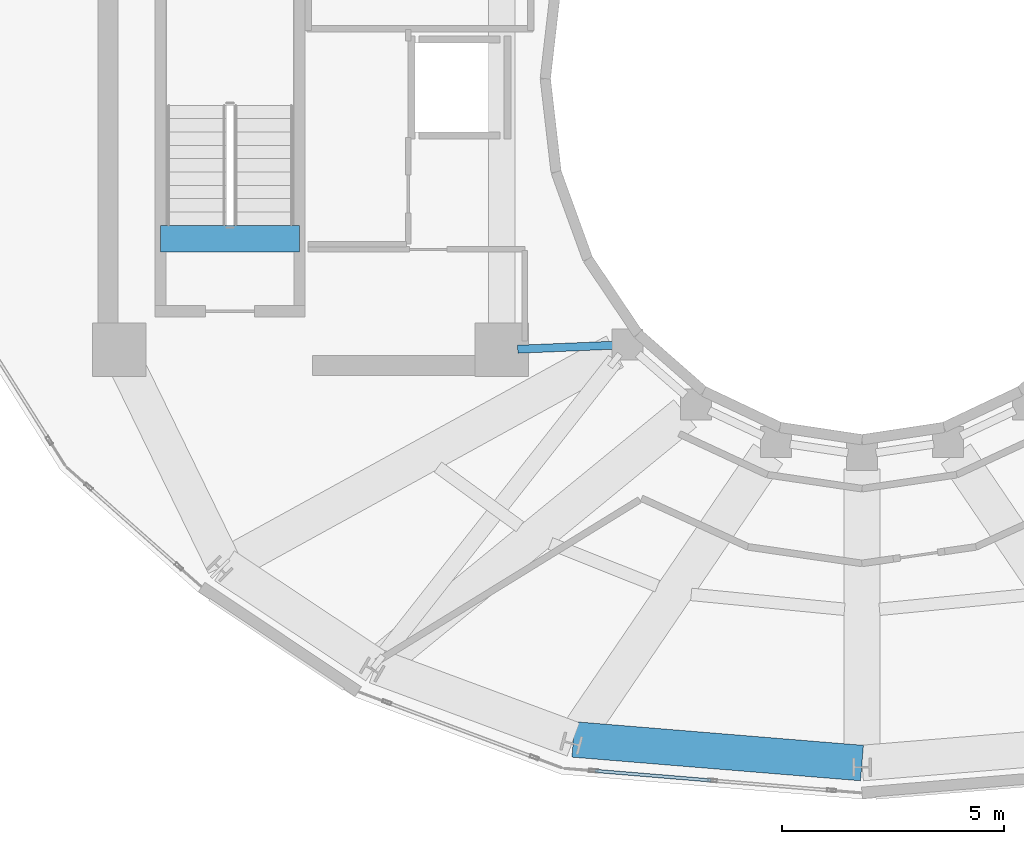
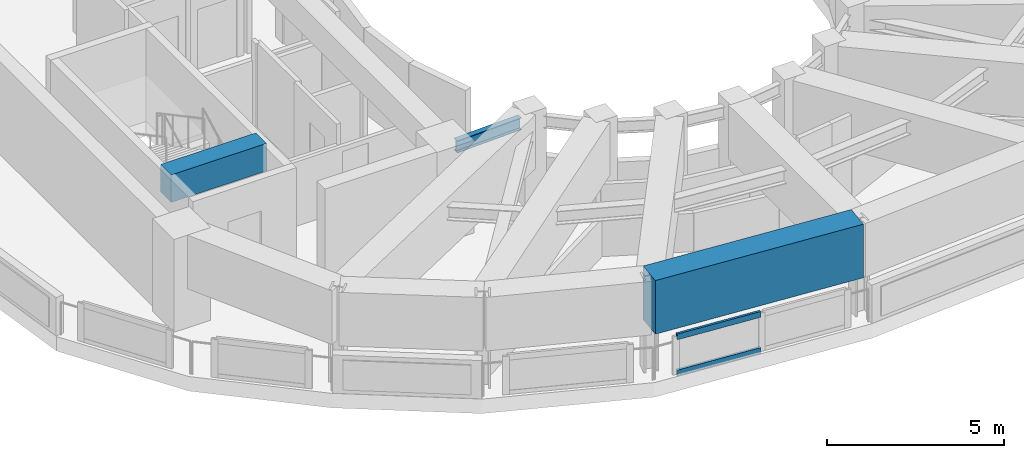
# One storey, part 4 of 21: 3 beams, 2 members, 1 element without a shape of its own.
"""IFC4 building model written with IfcOpenShell, lengths in metres."""

import ifcopenshell
import ifcopenshell.guid

model = None  # the IFC model being written
_history = None  # IfcOwnerHistory: only IFC2X3 demands one
_inside = {}  # id of a spatial element -> (the spatial element, [elements in it])
_under = {}  # id of a project, library or spatial element -> (it, [spatial elements below it])
_declared = {}  # id of a project -> (the project, [libraries it declares])
_typed = {}  # id of a type object -> (the type object, [elements of that type])
_made_of = {}  # id of a material, layer set ... -> (it, [elements and type objects made of it])


def new_model(schema):
    """Start an empty IFC model of exactly this schema.

    Asked for "IFC4X3", IfcOpenShell would pick the latest addendum, in which some entities
    have other attributes; the version numbers below select the first issue.
    IFC2X3 requires an IfcOwnerHistory on every rooted entity: one is made here for all.
    """
    global model, _history
    if schema == "IFC4X3":
        model = ifcopenshell.file(schema_version=(4, 3, 0, 0))
    else:
        model = ifcopenshell.file(schema=schema)
    _inside.clear()
    _under.clear()
    _declared.clear()
    _typed.clear()
    _made_of.clear()
    _history = None
    if model.schema == "IFC2X3":
        org = make("IfcOrganization", Name="unknown")
        user = make(
            "IfcPersonAndOrganization",
            ThePerson=make("IfcPerson", FamilyName="unknown"),
            TheOrganization=org,
        )
        app = make(
            "IfcApplication",
            ApplicationDeveloper=org,
            Version="unknown",
            ApplicationFullName="unknown",
            ApplicationIdentifier="unknown",
        )
        _history = make(
            "IfcOwnerHistory",
            OwningUser=user,
            OwningApplication=app,
            ChangeAction="ADDED",
            CreationDate=0,
        )
    return model


def make(cls, **values):
    """One entity of the class cls with the attributes given. An attribute that is None is left unset."""
    return model.create_entity(
        cls, **{name: value for name, value in values.items() if value is not None}
    )


def rooted(cls, **values):
    """An entity with a GlobalId (a new one), such as an element, a storey or a relation."""
    return make(cls, GlobalId=ifcopenshell.guid.new(), OwnerHistory=_history, **values)


def si_unit(unit_type, name, prefix=None):
    """IfcSIUnit, for example si_unit("LENGTHUNIT", "METRE", prefix="MILLI")."""
    return make("IfcSIUnit", UnitType=unit_type, Prefix=prefix, Name=name)


def assignment(units):
    """IfcUnitAssignment: the units of a project."""
    return None if units is None else make("IfcUnitAssignment", Units=units)


def point(xyz):
    """IfcCartesianPoint."""
    return None if xyz is None else make("IfcCartesianPoint", Coordinates=xyz)


def direction(xyz):
    """IfcDirection."""
    return None if xyz is None else make("IfcDirection", DirectionRatios=xyz)


def frame(location, z_axis=None, x_axis=None):
    """IfcAxis2Placement3D, a coordinate frame: its origin and axes. An axis left out is left unset."""
    return make(
        "IfcAxis2Placement3D",
        Location=point(location),
        Axis=direction(z_axis),
        RefDirection=direction(x_axis),
    )


def frame_2d(location, x_axis=None):
    """IfcAxis2Placement2D, a coordinate frame in the plane: its origin and x axis."""
    return make(
        "IfcAxis2Placement2D", Location=point(location), RefDirection=direction(x_axis)
    )


def origin():
    """The frame at (0, 0, 0) with its axes left unset."""
    return frame((0.0, 0.0, 0.0))


def origin_2d():
    """The frame at (0, 0) in the plane with its x axis left unset."""
    return frame_2d((0.0, 0.0))


def place(relative_to, where):
    """IfcLocalPlacement: puts the frame where relative to a parent placement (None: the world)."""
    return make(
        "IfcLocalPlacement", PlacementRelTo=relative_to, RelativePlacement=where
    )


def context(
    kind, dimensions, precision=None, world=None, true_north=None, identifier=None
):
    """IfcGeometricRepresentationContext, for example the 3D "Model" context."""
    return make(
        "IfcGeometricRepresentationContext",
        ContextIdentifier=identifier,
        ContextType=kind,
        CoordinateSpaceDimension=dimensions,
        Precision=precision,
        WorldCoordinateSystem=world,
        TrueNorth=true_north,
    )


def subcontext(parent, identifier, kind, view, scale=None):
    """IfcGeometricRepresentationSubContext, for example "Body" below "Model"."""
    return make(
        "IfcGeometricRepresentationSubContext",
        ContextIdentifier=identifier,
        ContextType=kind,
        ParentContext=parent,
        TargetScale=scale,
        TargetView=view,
    )


def project(units=None, contexts=None):
    """IfcProject with its units and contexts."""
    return rooted(
        "IfcProject",
        Name="project",
        RepresentationContexts=contexts,
        UnitsInContext=assignment(units),
    )


def spatial(cls, under=None, at=None, **own):
    """A site, building, storey or space (cls), placed at a placement, below another one or the project."""
    s = rooted(cls, ObjectPlacement=at, **own)
    if under is not None:
        _under.setdefault(under.id(), (under, []))[1].append(s)
    return s


def profile(cls, at=None, kind="AREA", **sizes):
    """A parametric profile (cls). Its sizes go by their IFC names, for example OverallWidth=200.0."""
    return make(cls, ProfileType=kind, Position=at, **sizes)


def rectangle(**sizes):
    """IfcRectangleProfileDef."""
    return profile("IfcRectangleProfileDef", **sizes)


def hollow_rectangle(**sizes):
    """IfcRectangleHollowProfileDef."""
    return profile("IfcRectangleHollowProfileDef", **sizes)


def i_section(**sizes):
    """IfcIShapeProfileDef."""
    return profile("IfcIShapeProfileDef", **sizes)


def extrude(swept, where, along, depth):
    """IfcExtrudedAreaSolid: the profile swept, set in the frame where, extruded along a direction by depth."""
    return make(
        "IfcExtrudedAreaSolid",
        SweptArea=swept,
        Position=where,
        ExtrudedDirection=direction(along),
        Depth=depth,
    )


def shape(context_of_items, identifier, shape_type, items):
    """IfcShapeRepresentation: the items that make up one representation, for example the "Body"."""
    return make(
        "IfcShapeRepresentation",
        ContextOfItems=context_of_items,
        RepresentationIdentifier=identifier,
        RepresentationType=shape_type,
        Items=items,
    )


def material(Name=None, Category=None):
    """IfcMaterial."""
    return make("IfcMaterial", Name=Name, Category=Category)


def layer(
    of_material, thickness, ventilated=None, Name=None, Category=None, Priority=None
):
    """IfcMaterialLayer: one layer of a wall or slab, of a material (None: an air gap)."""
    return make(
        "IfcMaterialLayer",
        Material=of_material,
        LayerThickness=thickness,
        IsVentilated=ventilated,
        Name=Name,
        Category=Category,
        Priority=Priority,
    )


def layer_set(layers, Name=None):
    """IfcMaterialLayerSet."""
    return make("IfcMaterialLayerSet", MaterialLayers=layers, LayerSetName=Name)


def material_profile(
    of_material, cross_section, Name=None, Category=None, Priority=None
):
    """IfcMaterialProfile: a cross section and its material."""
    return make(
        "IfcMaterialProfile",
        Name=Name,
        Material=of_material,
        Profile=cross_section,
        Priority=Priority,
        Category=Category,
    )


def profile_set(profiles, Name=None, composite=None):
    """IfcMaterialProfileSet."""
    return make(
        "IfcMaterialProfileSet",
        Name=Name,
        MaterialProfiles=profiles,
        CompositeProfile=composite,
    )


def made_of(thing, what):
    """Note that an element or type object is made of a material, layer set ...; save() writes the relation."""
    if what is not None:
        _made_of.setdefault(what.id(), (what, []))[1].append(thing)
    return thing


def type_object(cls, material=None, **own):
    """A type object (cls), such as IfcWallType, which elements share."""
    return made_of(rooted(cls, **own), material)


def element(
    cls,
    number,
    at=None,
    inside=None,
    cuts=None,
    type_object=None,
    material=None,
    context=None,
    identifier="Body",
    shape_type=None,
    held_by="IfcProductDefinitionShape",
    body=None,
    shapes=None,
    **own,
):
    """One element of the class cls, such as IfcWall. Its Tag is "e" and its number.

    at: its placement. inside: the storey or other place that contains it. cuts: it is an
    opening in that element (IfcRelVoidsElement). A single representation is given by context,
    identifier, shape_type and body (its items); several are given by shapes. held_by: the class
    of the entity that holds the representations. save() writes the other relations.
    """
    e = rooted(cls, Tag="e%d" % number, ObjectPlacement=at, **own)
    if body is not None:
        shapes = [shape(context, identifier, shape_type, body)]
    if shapes is not None:
        e.Representation = make(held_by, Representations=shapes)
    if inside is not None:
        _inside.setdefault(inside.id(), (inside, []))[1].append(e)
    if cuts is not None:
        rooted(
            "IfcRelVoidsElement", RelatingBuildingElement=cuts, RelatedOpeningElement=e
        )
    if type_object is not None:
        _typed.setdefault(type_object.id(), (type_object, []))[1].append(e)
    return made_of(e, material)


def aggregate(whole, parts):
    """IfcRelAggregates: a whole, such as a stair, and the parts it consists of."""
    return rooted("IfcRelAggregates", RelatingObject=whole, RelatedObjects=parts)


def save(model, path):
    """Write the relations noted so far, then the file.

    IfcRelAggregates (storeys below a building ...), IfcRelContainedInSpatialStructure (elements
    in a storey), IfcRelDefinesByType, IfcRelAssociatesMaterial and IfcRelDeclares: one each for
    every whole, place, type object, material and project.
    """
    for whole, parts in _under.values():
        aggregate(whole, parts)
    for where, things in _inside.values():
        rooted(
            "IfcRelContainedInSpatialStructure",
            RelatedElements=things,
            RelatingStructure=where,
        )
    for kind, things in _typed.values():
        rooted("IfcRelDefinesByType", RelatedObjects=things, RelatingType=kind)
    for what, things in _made_of.values():
        rooted("IfcRelAssociatesMaterial", RelatedObjects=things, RelatingMaterial=what)
    for by, libraries in _declared.values():
        rooted("IfcRelDeclares", RelatingContext=by, RelatedDefinitions=libraries)
    model.write(path)


model = new_model("IFC4")

# Units and contexts
model_context = context("Model", 3, precision=1e-05, world=origin(), true_north=direction((0.0, 1.0)))
body_context = subcontext(model_context, "Body", "Model", "MODEL_VIEW")
ifc_project = project(units=[si_unit("LENGTHUNIT", "METRE"), si_unit("AREAUNIT", "SQUARE_METRE"), si_unit("VOLUMEUNIT", "CUBIC_METRE"), si_unit("PLANEANGLEUNIT", "RADIAN"), si_unit("MASSUNIT", "GRAM", prefix="KILO")], contexts=[model_context])

# Site, building, storey
site_placement = place(None, origin())
site = spatial("IfcSite", under=ifc_project, at=site_placement, CompositionType="ELEMENT")
building_placement = place(site_placement, origin())
building = spatial("IfcBuilding", under=site, at=building_placement, Name="Solvane Sanctuary Tower", CompositionType="ELEMENT")
storey_placement = place(building_placement, frame((0.0, 0.0, 260.39990234375)))
storey = spatial("IfcBuildingStorey", under=building, at=storey_placement, Name="L79", CompositionType="ELEMENT", Elevation=260.39990234375)

# Beams
ifc_material_1 = material(Name="Concrete C70/85", Category="concrete")
ifc_material_profile_1 = material_profile(ifc_material_1, rectangle(XDim=0.60009765625, YDim=0.949951171875, at=origin_2d()), Name="RC600X950")
ifc_profile_set_1 = profile_set([ifc_material_profile_1], Name="Concrete C70/85")
beam_type_1 = type_object("IfcBeamType", Name="Beam B-COUPLE RC600X950", PredefinedType="LINTEL", material=ifc_profile_set_1)
beam_1_placement = place(storey_placement, frame((16.22998046875, 19.399169921875, 2.72509765625), z_axis=(1.0, 0.0, 0.0), x_axis=(0.0, 1.0, 0.0)))
element("IfcBeam", 1, at=beam_1_placement, inside=storey, type_object=beam_type_1, Name="L79 ST-1 Stair Floor Landing Trimmer", PredefinedType="LINTEL", context=body_context, shape_type="SweptSolid", body=[
    extrude(rectangle(XDim=0.60009765625, YDim=0.949951171875, at=origin_2d()), origin(), (0.0, 0.0, 1.0), 3.1201171875),
])
ifc_material_2 = material(Name="Steel ASTM A992 Grade 50", Category="steel")
ifc_material_profile_2 = material_profile(ifc_material_2, i_section(OverallWidth=0.180908203125, OverallDepth=0.4169921875, WebThickness=0.010986328125, FlangeThickness=0.018310546875, FilletRadius=0.012939453125, at=origin_2d()), Name="W16X57")
ifc_profile_set_2 = profile_set([ifc_material_profile_2], Name="Steel ASTM A992 Grade 50")
beam_type_2 = type_object("IfcBeamType", Name="Beam B-ROOF-BM W16X57", PredefinedType="BEAM", material=ifc_profile_set_2)
beam_2_placement = place(storey_placement, frame((24.259765625, 16.9150390625, 2.7294921875), z_axis=(0.999129127803, 0.041725124022, 0.0), x_axis=(-0.041725124022, 0.999129127803, 0.0)))
element("IfcBeam", 2, at=beam_2_placement, inside=storey, type_object=beam_type_2, Name="L79 Inner Light-Well Ring Beam CW2-IC08", PredefinedType="BEAM", context=body_context, shape_type="SweptSolid", body=[
    extrude(i_section(OverallWidth=0.180908203125, OverallDepth=0.4169921875, WebThickness=0.010986328125, FlangeThickness=0.018310546875, FilletRadius=0.012939453125, at=origin_2d()), origin(), (0.0, 0.0, 1.0), 2.1474609375),
])
ifc_material_profile_3 = material_profile(ifc_material_1, rectangle(XDim=0.800048828125, YDim=1.85009765625, at=origin_2d()), Name="RC800X1850")
ifc_profile_set_3 = profile_set([ifc_material_profile_3], Name="Concrete C70/85")
beam_type_3 = type_object("IfcBeamType", Name="Beam B-XFER-BLK RC800X1850", PredefinedType="BEAM", material=ifc_profile_set_3)
beam_3_placement = place(storey_placement, frame((25.51123046875, 8.142578125, 2.275146484375), z_axis=(0.99666217452, -0.081636449467, 0.0), x_axis=(0.081636449467, 0.99666217452, 0.0)))
element("IfcBeam", 3, at=beam_3_placement, inside=storey, type_object=beam_type_3, Name="L79 Perimeter Step Transfer Ring NTC10-NTC11", PredefinedType="BEAM", context=body_context, shape_type="SweptSolid", body=[
    extrude(rectangle(XDim=0.800048828125, YDim=1.85009765625, at=origin_2d()), origin(), (0.0, 0.0, 1.0), 6.510498046875),
])

# Curtain wall, members
ifc_material_3 = material(Name="Anodised Aluminium 6063-T6", Category="aluminium")
ifc_layer = layer(ifc_material_3, 0.219970703125, Name="Anodised Aluminium 6063-T6")
ifc_layer_set = layer_set([ifc_layer], Name="Anodised Aluminium 6063-T6")
curtain_wall_type = type_object("IfcCurtainWallType", Name="Curtain Wall CW-CROWN", PredefinedType="NOTDEFINED", material=ifc_layer_set)
curtain_wall_placement = place(storey_placement, origin())
curtain_wall = element("IfcCurtainWall", 4, at=curtain_wall_placement, inside=storey, type_object=curtain_wall_type, Name="L79 Crown Fritted Lantern Curtain Wall 17", PredefinedType="NOTDEFINED")
ifc_material_profile_4 = material_profile(ifc_material_3, hollow_rectangle(XDim=0.074951171875, YDim=0.199951171875, WallThickness=0.00390625, at=origin_2d()), Name="ALU200X75X4")
ifc_profile_set_4 = profile_set([ifc_material_profile_4], Name="Anodised Aluminium 6063-T6")
member_type = type_object("IfcMemberType", Name="Member M-CW-TRN-2 ALU200X75X4", PredefinedType="USERDEFINED", material=ifc_profile_set_4)
member_1_placement = place(storey_placement, frame((26.001708984375, 7.435302734375, 0.03759765625), z_axis=(0.996604866075, -0.082333109477, 0.0), x_axis=(0.082333109477, 0.996604866075, 0.0)))
member_1 = element("IfcMember", 5, at=member_1_placement, type_object=member_type, Name="CW-CROWN transom 1.1", ObjectType="TRANSOM", PredefinedType="USERDEFINED", context=body_context, shape_type="SweptSolid", body=[
    extrude(hollow_rectangle(XDim=0.074951171875, YDim=0.199951171875, WallThickness=0.00390625, at=origin_2d()), origin(), (0.0, 0.0, 1.0), 2.609375),
])
member_2_placement = place(storey_placement, frame((26.001708984375, 7.435302734375, 1.28271484375), z_axis=(0.996604866075, -0.082333109477, 0.0), x_axis=(0.082333109477, 0.996604866075, 0.0)))
member_2 = element("IfcMember", 6, at=member_2_placement, type_object=member_type, Name="CW-CROWN transom 1.2", ObjectType="TRANSOM", PredefinedType="USERDEFINED", context=body_context, shape_type="SweptSolid", body=[
    extrude(hollow_rectangle(XDim=0.074951171875, YDim=0.199951171875, WallThickness=0.00390625, at=origin_2d()), origin(), (0.0, 0.0, 1.0), 2.609375),
])
aggregate(curtain_wall, [member_1, member_2])

save(model, "model.ifc")
